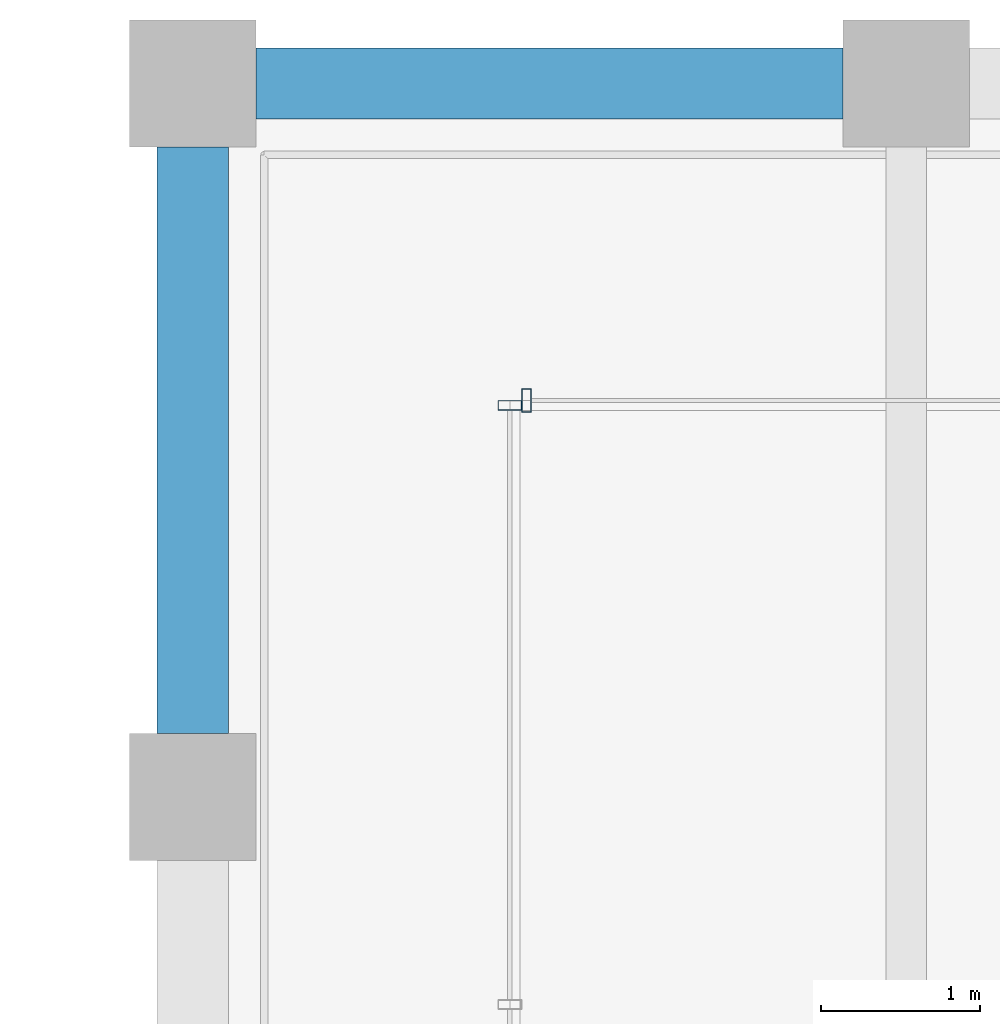
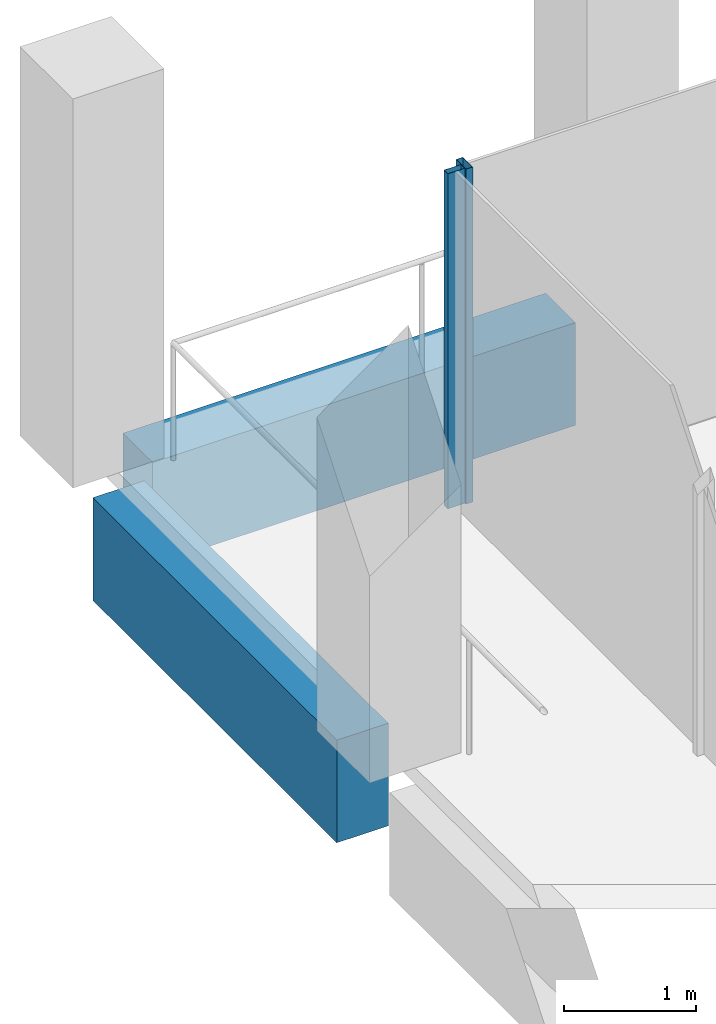
# One storey, part 21 of 30: 2 beams, 2 members, 2 elements without a shape of their own.
"""IFC4 building model written with IfcOpenShell, lengths in metres."""

from ifc_helpers import new_model, si_unit, direction, frame, origin, origin_2d, place, context, subcontext, project, spatial, rectangle, hollow_rectangle, extrude, material, material_profile, profile_set, type_object, element, aggregate, save


model = new_model("IFC4")

# Units and contexts
model_context = context("Model", 3, precision=1e-05, world=origin(), true_north=direction((0.0, 1.0)))
body_context = subcontext(model_context, "Body", "Model", "MODEL_VIEW")
ifc_project = project(units=[si_unit("LENGTHUNIT", "METRE"), si_unit("AREAUNIT", "SQUARE_METRE"), si_unit("VOLUMEUNIT", "CUBIC_METRE"), si_unit("PLANEANGLEUNIT", "RADIAN"), si_unit("MASSUNIT", "GRAM", prefix="KILO")], contexts=[model_context])

# Site, building, storey
site_placement = place(None, origin())
site = spatial("IfcSite", under=ifc_project, at=site_placement, CompositionType="ELEMENT")
building_placement = place(site_placement, origin())
building = spatial("IfcBuilding", under=site, at=building_placement, Name="Altepetl Exchange Towers", CompositionType="ELEMENT")
storey_placement = place(building_placement, frame((0.0, 0.0, 238.800048828125)))
storey = spatial("IfcBuildingStorey", under=building, at=storey_placement, Name="L61", CompositionType="ELEMENT", Elevation=238.800048828125)

# Curtain wall, member
ifc_material_1 = material(Name="Aluminium 6063-T6 glazing", Category="aluminium")
curtain_wall_type = type_object("IfcCurtainWallType", Name="Loggia glazing system", PredefinedType="NOTDEFINED", material=ifc_material_1)
curtain_wall_1_placement = place(storey_placement, origin())
curtain_wall_1 = element("IfcCurtainWall", 1, at=curtain_wall_1_placement, inside=storey, type_object=curtain_wall_type, Name="CW1 run", PredefinedType="NOTDEFINED")
ifc_material_2 = material(Name="Aluminium 6063-T6", Category="aluminium")
ifc_material_profile_1 = material_profile(ifc_material_2, hollow_rectangle(XDim=0.06005859375, YDim=0.14990234375, WallThickness=0.0029296875, at=origin_2d()), Name="Mullion 60x150 aluminium")
ifc_profile_set_1 = profile_set([ifc_material_profile_1], Name="Aluminium 6063-T6")
member_type = type_object("IfcMemberType", Name="Mullion 60x150 aluminium", PredefinedType="MULLION", material=ifc_profile_set_1)
member_1_placement = place(storey_placement, frame((42.60498046875, 70.0, 0.0), z_axis=(0.0, 0.0, 1.0), x_axis=(-1.0, 0.0, 0.0)))
member_1 = element("IfcMember", 2, at=member_1_placement, type_object=member_type, Name="MU1 mullion", PredefinedType="MULLION", context=body_context, shape_type="SweptSolid", body=[
    extrude(hollow_rectangle(XDim=0.06005859375, YDim=0.14990234375, WallThickness=0.0029296875, at=origin_2d()), origin(), (0.0, 0.0, 1.0), 3.099853515625),
])
aggregate(curtain_wall_1, [member_1])

curtain_wall_2_placement = place(storey_placement, origin())
curtain_wall_2 = element("IfcCurtainWall", 3, at=curtain_wall_2_placement, inside=storey, type_object=curtain_wall_type, Name="CW1 run", PredefinedType="NOTDEFINED")
member_2_placement = place(storey_placement, frame((42.5, 69.969970703125, 0.0), z_axis=(0.0, 0.0, 1.0), x_axis=(0.0, -1.0, 0.0)))
member_2 = element("IfcMember", 4, at=member_2_placement, type_object=member_type, Name="MU1 mullion", PredefinedType="MULLION", context=body_context, shape_type="SweptSolid", body=[
    extrude(hollow_rectangle(XDim=0.06005859375, YDim=0.14990234375, WallThickness=0.0029296875, at=origin_2d()), origin(), (0.0, 0.0, 1.0), 3.099853515625),
])
aggregate(curtain_wall_2, [member_2])

# Beams
ifc_material_3 = material(Name="Concrete C50/60 precast with cantera rosa facing", Category="concrete")
ifc_material_profile_2 = material_profile(ifc_material_3, rectangle(XDim=0.449951171875, YDim=0.949951171875, at=origin_2d()), Name="450 x 950")
ifc_profile_set_2 = profile_set([ifc_material_profile_2], Name="Concrete C50/60 precast with cantera rosa facing")
beam_type_1 = type_object("IfcBeamType", Name="Spandrel beam 450x950 cantera rosa", PredefinedType="SPANDREL", material=ifc_profile_set_2)
beam_1_placement = place(storey_placement, frame((44.60009765625, 72.0, -0.625), z_axis=(-1.0, 0.0, 0.0), x_axis=(0.0, -1.0, 0.0)))
element("IfcBeam", 5, at=beam_1_placement, inside=storey, type_object=beam_type_1, Name="sp:A:L61:029", PredefinedType="SPANDREL", context=body_context, shape_type="SweptSolid", body=[
    extrude(rectangle(XDim=0.449951171875, YDim=0.949951171875, at=origin_2d()), origin(), (0.0, 0.0, 1.0), 3.7001953125),
])
ifc_material_4 = material(Name="Concrete C50/60 precast with tezontle facing", Category="concrete")
ifc_material_profile_3 = material_profile(ifc_material_4, rectangle(XDim=0.449951171875, YDim=0.949951171875, at=origin_2d()), Name="450 x 950")
ifc_profile_set_3 = profile_set([ifc_material_profile_3], Name="Concrete C50/60 precast with tezontle facing")
beam_type_2 = type_object("IfcBeamType", Name="Spandrel beam 450x950 tezontle", PredefinedType="SPANDREL", material=ifc_profile_set_3)
beam_2_placement = place(storey_placement, frame((40.5, 71.60009765625, -0.625), z_axis=(0.0, -1.0, 0.0), x_axis=(1.0, 0.0, 0.0)))
element("IfcBeam", 6, at=beam_2_placement, inside=storey, type_object=beam_type_2, Name="sp:A:L61:030", PredefinedType="SPANDREL", context=body_context, shape_type="SweptSolid", body=[
    extrude(rectangle(XDim=0.449951171875, YDim=0.949951171875, at=origin_2d()), origin(), (0.0, 0.0, 1.0), 3.7001953125),
])

save(model, "model.ifc")
